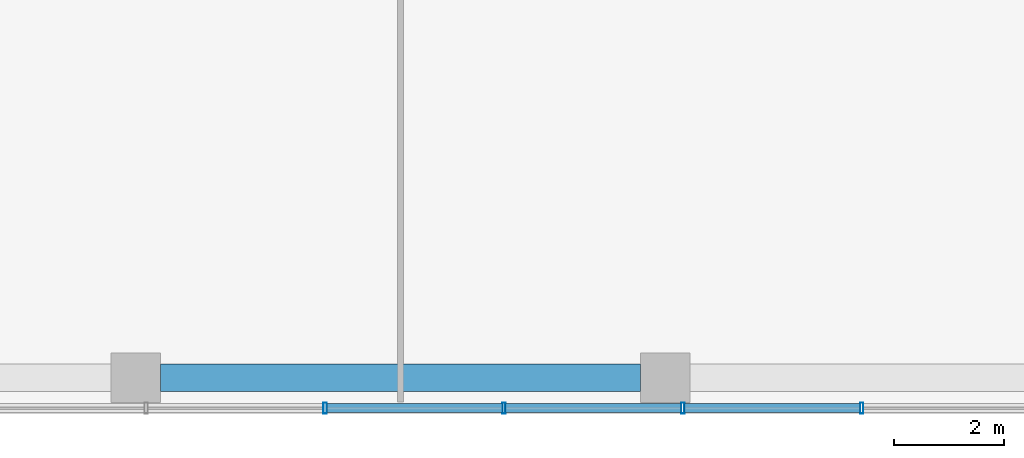
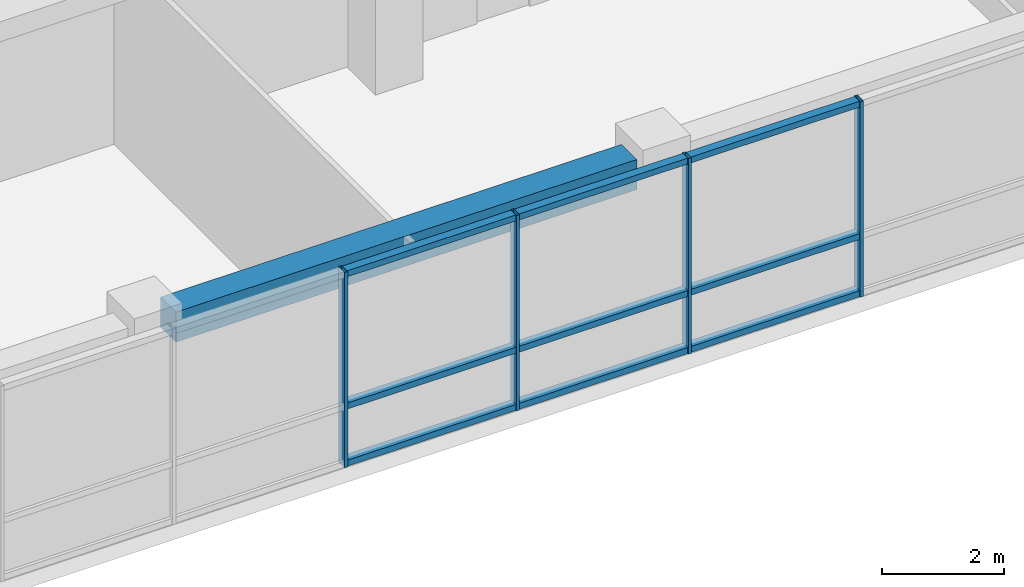
# One storey, part 12 of 38: 13 members, 1 beam, 1 element without a shape of its own.
"""IFC4 building model written with IfcOpenShell, lengths in metres."""

from ifc_helpers import new_model, si_unit, direction, frame, origin, origin_2d, place, context, subcontext, project, spatial, rectangle, hollow_rectangle, extrude, material, layer, layer_set, material_profile, profile_set, type_object, element, aggregate, save


model = new_model("IFC4")

# Units and contexts
model_context = context("Model", 3, precision=1e-05, world=origin(), true_north=direction((0.0, 1.0)))
body_context = subcontext(model_context, "Body", "Model", "MODEL_VIEW")
ifc_project = project(units=[si_unit("LENGTHUNIT", "METRE"), si_unit("AREAUNIT", "SQUARE_METRE"), si_unit("VOLUMEUNIT", "CUBIC_METRE"), si_unit("PLANEANGLEUNIT", "RADIAN"), si_unit("MASSUNIT", "GRAM", prefix="KILO")], contexts=[model_context])

# Site, building, storey
site_placement = place(None, origin())
site = spatial("IfcSite", under=ifc_project, at=site_placement, CompositionType="ELEMENT")
building_placement = place(site_placement, origin())
building = spatial("IfcBuilding", under=site, at=building_placement, Name="Nzadi Deep Aquarium and Research Tower", CompositionType="ELEMENT")
storey_placement = place(building_placement, frame((0.0, 0.0, 65.5)))
storey = spatial("IfcBuildingStorey", under=building, at=storey_placement, Name="L13", CompositionType="ELEMENT", Elevation=65.5)

# Curtain wall, members
ifc_material_1 = material(Name="Aluminium unitised frame", Category="aluminium")
ifc_layer = layer(ifc_material_1, 0.199951171875)
ifc_layer_set = layer_set([ifc_layer], Name="Aluminium unitised frame")
curtain_wall_type = type_object("IfcCurtainWallType", Name="Curtain wall Unitised 200", PredefinedType="NOTDEFINED", material=ifc_layer_set)
curtain_wall_placement = place(storey_placement, origin())
curtain_wall = element("IfcCurtainWall", 1, at=curtain_wall_placement, inside=storey, type_object=curtain_wall_type, Name="Unitised curtain wall blade A south L13", PredefinedType="NOTDEFINED")
ifc_material_2 = material(Name="Aluminium unitised frame", Category="aluminium")
ifc_material_profile_1 = material_profile(ifc_material_2, hollow_rectangle(XDim=0.199951171875, YDim=0.06005859375, WallThickness=0.0048828125, at=origin_2d()))
ifc_profile_set_1 = profile_set([ifc_material_profile_1], Name="Aluminium unitised frame")
member_type_1 = type_object("IfcMemberType", Name="Mullion 60x200 Unitised", PredefinedType="MULLION", material=ifc_profile_set_1)
member_1_placement = place(storey_placement, frame((32.2333984375, -0.10009765625, 0.0), z_axis=(0.0, 0.0, 1.0), x_axis=(0.0, 1.0, 0.0)))
member_1 = element("IfcMember", 2, at=member_1_placement, type_object=member_type_1, Name="CW057 mullion 11", PredefinedType="MULLION", context=body_context, shape_type="SweptSolid", body=[
    extrude(hollow_rectangle(XDim=0.199951171875, YDim=0.06005859375, WallThickness=0.0048828125, at=origin_2d()), origin(), (0.0, 0.0, 1.0), 3.89990234375),
])
member_2_placement = place(storey_placement, frame((35.4765625, -0.10009765625, 0.0), z_axis=(0.0, 0.0, 1.0), x_axis=(0.0, 1.0, 0.0)))
member_2 = element("IfcMember", 3, at=member_2_placement, type_object=member_type_1, Name="CW057 mullion 12", PredefinedType="MULLION", context=body_context, shape_type="SweptSolid", body=[
    extrude(hollow_rectangle(XDim=0.199951171875, YDim=0.06005859375, WallThickness=0.0048828125, at=origin_2d()), origin(), (0.0, 0.0, 1.0), 3.89990234375),
])
member_3_placement = place(storey_placement, frame((38.719970703125, -0.10009765625, 0.0), z_axis=(0.0, 0.0, 1.0), x_axis=(0.0, 1.0, 0.0)))
member_3 = element("IfcMember", 4, at=member_3_placement, type_object=member_type_1, Name="CW057 mullion 13", PredefinedType="MULLION", context=body_context, shape_type="SweptSolid", body=[
    extrude(hollow_rectangle(XDim=0.199951171875, YDim=0.06005859375, WallThickness=0.0048828125, at=origin_2d()), origin(), (0.0, 0.0, 1.0), 3.89990234375),
])
member_4_placement = place(storey_placement, frame((41.96337890625, -0.10009765625, 0.0), z_axis=(0.0, 0.0, 1.0), x_axis=(0.0, 1.0, 0.0)))
member_4 = element("IfcMember", 5, at=member_4_placement, type_object=member_type_1, Name="CW057 mullion 14", PredefinedType="MULLION", context=body_context, shape_type="SweptSolid", body=[
    extrude(hollow_rectangle(XDim=0.199951171875, YDim=0.06005859375, WallThickness=0.0048828125, at=origin_2d()), origin(), (0.0, 0.0, 1.0), 3.89990234375),
])

# Beam
ifc_material_3 = material(Name="Concrete C35/45", Category="concrete")
ifc_material_profile_2 = material_profile(ifc_material_3, rectangle(XDim=0.5, YDim=0.60009765625, at=origin_2d()))
ifc_profile_set_2 = profile_set([ifc_material_profile_2], Name="Concrete C35/45")
beam_type = type_object("IfcBeamType", Name="RC 500x600", PredefinedType="BEAM", material=ifc_profile_set_2)
beam_placement = place(storey_placement, frame((29.25, 0.449951171875, 3.60009765625), z_axis=(1.0, 0.0, 0.0), x_axis=(0.0, 1.0, 0.0)))
element("IfcBeam", 6, at=beam_placement, inside=storey, type_object=beam_type, Name="B-Z1-L13-L1-4", PredefinedType="BEAM", context=body_context, shape_type="SweptSolid", body=[
    extrude(rectangle(XDim=0.5, YDim=0.60009765625, at=origin_2d()), origin(), (0.0, 0.0, 1.0), 8.699951171875),
])

# Member
ifc_material_4 = material(Name="Aluminium unitised frame", Category="aluminium")
ifc_material_profile_3 = material_profile(ifc_material_4, hollow_rectangle(XDim=0.159912109375, YDim=0.1201171875, WallThickness=0.0048828125, at=origin_2d()))
ifc_profile_set_3 = profile_set([ifc_material_profile_3], Name="Aluminium unitised frame")
member_type_2 = type_object("IfcMemberType", Name="Transom 120x160 Unitised", PredefinedType="MULLION", material=ifc_profile_set_3)
member_5_placement = place(storey_placement, frame((32.263427734375, -0.10009765625, 0.06005859375), z_axis=(1.0, 0.0, 0.0), x_axis=(0.0, 1.0, 0.0)))
member_5 = element("IfcMember", 7, at=member_5_placement, type_object=member_type_2, Name="CW057 transom 11.1", PredefinedType="MULLION", context=body_context, shape_type="SweptSolid", body=[
    extrude(hollow_rectangle(XDim=0.159912109375, YDim=0.1201171875, WallThickness=0.0048828125, at=origin_2d()), origin(), (0.0, 0.0, 1.0), 3.183349609375),
])

member_6_placement = place(storey_placement, frame((32.263427734375, -0.10009765625, 1.199951171875), z_axis=(1.0, 0.0, 0.0), x_axis=(0.0, 1.0, 0.0)))
member_6 = element("IfcMember", 8, at=member_6_placement, type_object=member_type_2, Name="CW057 transom 11.2", PredefinedType="MULLION", context=body_context, shape_type="SweptSolid", body=[
    extrude(hollow_rectangle(XDim=0.159912109375, YDim=0.1201171875, WallThickness=0.0048828125, at=origin_2d()), origin(), (0.0, 0.0, 1.0), 3.183349609375),
])

member_7_placement = place(storey_placement, frame((32.263427734375, -0.10009765625, 3.840087890625), z_axis=(1.0, 0.0, 0.0), x_axis=(0.0, 1.0, 0.0)))
member_7 = element("IfcMember", 9, at=member_7_placement, type_object=member_type_2, Name="CW057 transom 11.3", PredefinedType="MULLION", context=body_context, shape_type="SweptSolid", body=[
    extrude(hollow_rectangle(XDim=0.159912109375, YDim=0.1201171875, WallThickness=0.0048828125, at=origin_2d()), origin(), (0.0, 0.0, 1.0), 3.183349609375),
])

member_8_placement = place(storey_placement, frame((35.506591796875, -0.10009765625, 0.06005859375), z_axis=(1.0, 0.0, 0.0), x_axis=(0.0, 1.0, 0.0)))
member_8 = element("IfcMember", 10, at=member_8_placement, type_object=member_type_2, Name="CW057 transom 12.1", PredefinedType="MULLION", context=body_context, shape_type="SweptSolid", body=[
    extrude(hollow_rectangle(XDim=0.159912109375, YDim=0.1201171875, WallThickness=0.0048828125, at=origin_2d()), origin(), (0.0, 0.0, 1.0), 3.183349609375),
])

member_9_placement = place(storey_placement, frame((35.506591796875, -0.10009765625, 1.199951171875), z_axis=(1.0, 0.0, 0.0), x_axis=(0.0, 1.0, 0.0)))
member_9 = element("IfcMember", 11, at=member_9_placement, type_object=member_type_2, Name="CW057 transom 12.2", PredefinedType="MULLION", context=body_context, shape_type="SweptSolid", body=[
    extrude(hollow_rectangle(XDim=0.159912109375, YDim=0.1201171875, WallThickness=0.0048828125, at=origin_2d()), origin(), (0.0, 0.0, 1.0), 3.183349609375),
])

member_10_placement = place(storey_placement, frame((35.506591796875, -0.10009765625, 3.840087890625), z_axis=(1.0, 0.0, 0.0), x_axis=(0.0, 1.0, 0.0)))
member_10 = element("IfcMember", 12, at=member_10_placement, type_object=member_type_2, Name="CW057 transom 12.3", PredefinedType="MULLION", context=body_context, shape_type="SweptSolid", body=[
    extrude(hollow_rectangle(XDim=0.159912109375, YDim=0.1201171875, WallThickness=0.0048828125, at=origin_2d()), origin(), (0.0, 0.0, 1.0), 3.183349609375),
])

member_11_placement = place(storey_placement, frame((38.75, -0.10009765625, 0.06005859375), z_axis=(1.0, 0.0, 0.0), x_axis=(0.0, 1.0, 0.0)))
member_11 = element("IfcMember", 13, at=member_11_placement, type_object=member_type_2, Name="CW057 transom 13.1", PredefinedType="MULLION", context=body_context, shape_type="SweptSolid", body=[
    extrude(hollow_rectangle(XDim=0.159912109375, YDim=0.1201171875, WallThickness=0.0048828125, at=origin_2d()), origin(), (0.0, 0.0, 1.0), 3.183349609375),
])

member_12_placement = place(storey_placement, frame((38.75, -0.10009765625, 1.199951171875), z_axis=(1.0, 0.0, 0.0), x_axis=(0.0, 1.0, 0.0)))
member_12 = element("IfcMember", 14, at=member_12_placement, type_object=member_type_2, Name="CW057 transom 13.2", PredefinedType="MULLION", context=body_context, shape_type="SweptSolid", body=[
    extrude(hollow_rectangle(XDim=0.159912109375, YDim=0.1201171875, WallThickness=0.0048828125, at=origin_2d()), origin(), (0.0, 0.0, 1.0), 3.183349609375),
])

member_13_placement = place(storey_placement, frame((38.75, -0.10009765625, 3.840087890625), z_axis=(1.0, 0.0, 0.0), x_axis=(0.0, 1.0, 0.0)))
member_13 = element("IfcMember", 15, at=member_13_placement, type_object=member_type_2, Name="CW057 transom 13.3", PredefinedType="MULLION", context=body_context, shape_type="SweptSolid", body=[
    extrude(hollow_rectangle(XDim=0.159912109375, YDim=0.1201171875, WallThickness=0.0048828125, at=origin_2d()), origin(), (0.0, 0.0, 1.0), 3.183349609375),
])

aggregate(curtain_wall, [member_1, member_2, member_3, member_4, member_5, member_6, member_7, member_8, member_9, member_10, member_11, member_12, member_13])

save(model, "model.ifc")
